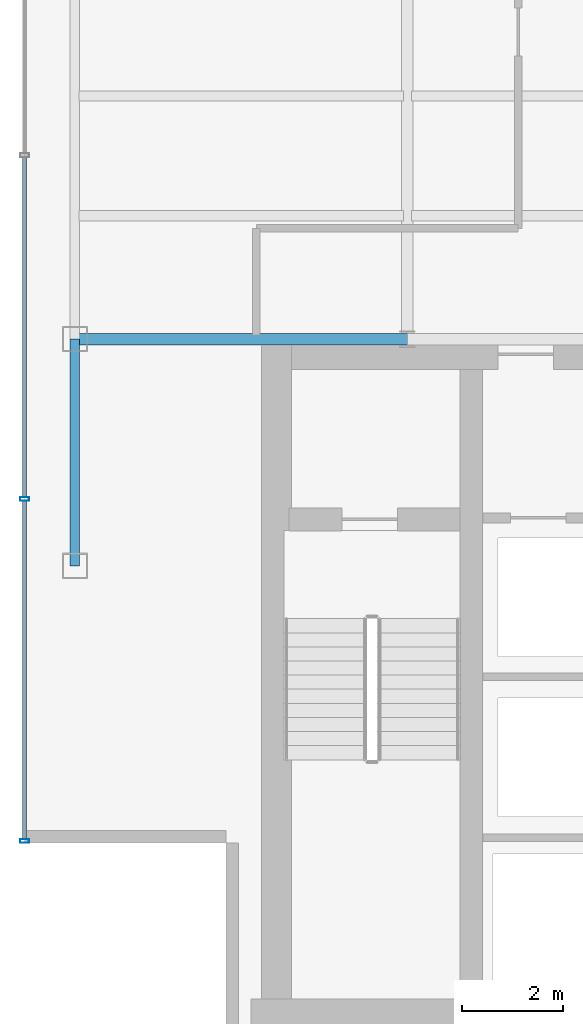
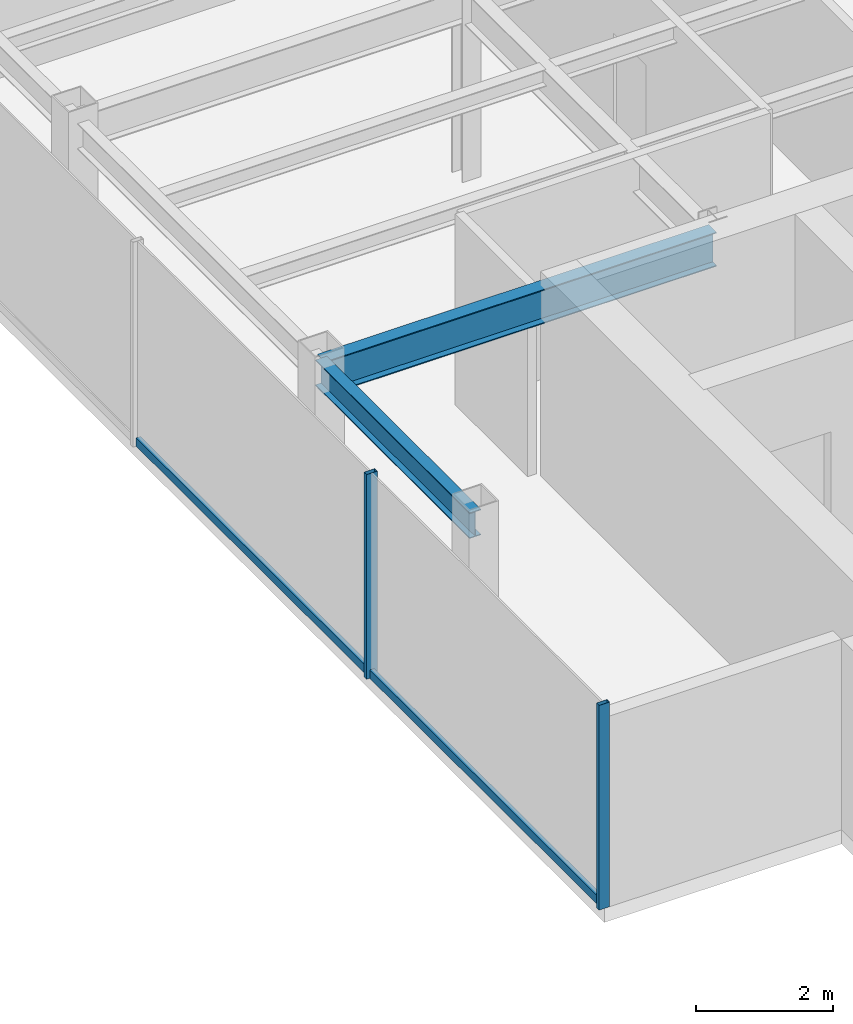
# One storey, part 3 of 22: 4 members, 2 beams, 1 element without a shape of its own.
"""IFC4 building model written with IfcOpenShell, lengths in metres."""

from ifc_helpers import new_model, si_unit, derived_unit, direction, frame, origin, origin_2d, place, context, subcontext, project, spatial, hollow_rectangle, i_section, extrude, source, transform, mapped, material, material_profile, profile_set, type_object, element, aggregate, save


model = new_model("IFC4")

# Units and contexts
model_context = context("Model", 3, precision=1e-05, world=origin(), true_north=direction((0.0, 1.0)))
body_context = subcontext(model_context, "Body", "Model", "MODEL_VIEW")
ifc_project = project(units=[si_unit("LENGTHUNIT", "METRE"), si_unit("AREAUNIT", "SQUARE_METRE"), si_unit("VOLUMEUNIT", "CUBIC_METRE"), si_unit("PLANEANGLEUNIT", "RADIAN"), si_unit("MASSUNIT", "GRAM", prefix="KILO"), derived_unit("THERMALTRANSMITTANCEUNIT", [(si_unit("POWERUNIT", "WATT"), 1), (si_unit("LENGTHUNIT", "METRE"), -2), (si_unit("THERMODYNAMICTEMPERATUREUNIT", "KELVIN"), -1)])], contexts=[model_context])

# Site, building, storey
site_placement = place(None, origin())
site = spatial("IfcSite", under=ifc_project, at=site_placement, CompositionType="ELEMENT")
building_placement = place(site_placement, origin())
building = spatial("IfcBuilding", under=site, at=building_placement, Name="Skarnbrae Concourse Arena and Tower", CompositionType="ELEMENT")
storey_placement = place(building_placement, frame((0.0, 0.0, 244.199951171875)))
storey = spatial("IfcBuildingStorey", under=building, at=storey_placement, Name="L63", CompositionType="ELEMENT", Elevation=244.199951171875)

# Beams
ifc_material_1 = material(Name="Steel CSA G40.21 350W", Category="steel")
ifc_material_profile_1 = material_profile(ifc_material_1, i_section(OverallWidth=0.22802734375, OverallDepth=0.60791015625, WebThickness=0.01123046875, FlangeThickness=0.017333984375, at=origin_2d()), Name="W610X113")
ifc_profile_set_1 = profile_set([ifc_material_profile_1], Name="Steel CSA G40.21 350W")
beam_type_1 = type_object("IfcBeamType", Name="BM-GIRD-W610X113", PredefinedType="BEAM", material=ifc_profile_set_1)
shared_shape_1 = source(origin(), body_context, "Body", "SweptSolid", [
    extrude(i_section(OverallWidth=0.22802734375, OverallDepth=0.60791015625, WebThickness=0.01123046875, FlangeThickness=0.017333984375, at=origin_2d()), origin(), (0.0, 0.0, 1.0), 6.60009765625),
])
beam_1_placement = place(storey_placement, frame((1.0, 14.0, 3.095947265625), z_axis=(1.0, 0.0, 0.0), x_axis=(0.0, 1.0, 0.0)))
element("IfcBeam", 1, at=beam_1_placement, inside=storey, type_object=beam_type_1, Name="L63 Primary E-W girder Y14.0-1", PredefinedType="BEAM", context=body_context, shape_type="MappedRepresentation", body=[
    mapped(shared_shape_1, transform((0.0, 0.0, 0.0))),
])
ifc_material_profile_2 = material_profile(ifc_material_1, i_section(OverallWidth=0.19091796875, OverallDepth=0.4599609375, WebThickness=0.010009765625, FlangeThickness=0.01611328125, at=origin_2d()), Name="W460X82")
ifc_profile_set_2 = profile_set([ifc_material_profile_2], Name="Steel CSA G40.21 350W")
beam_type_2 = type_object("IfcBeamType", Name="BM-SPAN-W460X82", PredefinedType="SPANDREL", material=ifc_profile_set_2)
shared_shape_2 = source(origin(), body_context, "Body", "SweptSolid", [
    extrude(i_section(OverallWidth=0.19091796875, OverallDepth=0.4599609375, WebThickness=0.010009765625, FlangeThickness=0.01611328125, at=origin_2d()), origin(), (0.0, 0.0, 1.0), 4.5),
])
beam_2_placement = place(storey_placement, frame((1.0, 9.5, 3.170166015625), z_axis=(0.0, 1.0, 0.0), x_axis=(-1.0, 0.0, 0.0)))
element("IfcBeam", 2, at=beam_2_placement, inside=storey, type_object=beam_type_2, Name="L63 Perimeter spandrel X1.0-1", PredefinedType="SPANDREL", context=body_context, shape_type="MappedRepresentation", body=[
    mapped(shared_shape_2, transform((0.0, 0.0, 0.0))),
])

# Curtain wall, members
ifc_material_2 = material(Name="Bronze anodised aluminium 6063-T6", Category="aluminium")
curtain_wall_type = type_object("IfcCurtainWallType", Name="CW-SYS-05-HIGHZONE", PredefinedType="USERDEFINED", material=ifc_material_2)
curtain_wall_placement = place(storey_placement, origin())
curtain_wall = element("IfcCurtainWall", 3, at=curtain_wall_placement, inside=storey, type_object=curtain_wall_type, Name="L63 Unitised curtain wall CW-L63-E18", ObjectType="UNITISED CURTAIN WALL", PredefinedType="USERDEFINED")
ifc_material_profile_3 = material_profile(ifc_material_2, hollow_rectangle(XDim=0.074951171875, YDim=0.14990234375, WallThickness=0.00390625, at=origin_2d()), Name="ALU-TRAN-75X150")
ifc_profile_set_3 = profile_set([ifc_material_profile_3], Name="Bronze anodised aluminium 6063-T6")
member_type_1 = type_object("IfcMemberType", Name="CWT-CW-05", PredefinedType="USERDEFINED", material=ifc_profile_set_3)
shared_shape_3 = source(origin(), body_context, "Body", "SweptSolid", [
    extrude(hollow_rectangle(XDim=0.074951171875, YDim=0.14990234375, WallThickness=0.00390625, at=origin_2d()), origin(), (0.0, 0.0, 1.0), 6.712646484375),
])
member_1_placement = place(storey_placement, frame((0.0, 10.78759765625, 0.074951171875), z_axis=(0.0, -1.0, 0.0), x_axis=(1.0, 0.0, 0.0)))
member_1 = element("IfcMember", 4, at=member_1_placement, type_object=member_type_1, Name="CW-L63-E18 Transom 4", ObjectType="TRANSOM", PredefinedType="USERDEFINED", context=body_context, shape_type="MappedRepresentation", body=[
    mapped(shared_shape_3, transform((0.0, 0.0, 0.0))),
])
shared_shape_4 = source(origin(), body_context, "Body", "SweptSolid", [
    extrude(hollow_rectangle(XDim=0.074951171875, YDim=0.14990234375, WallThickness=0.00390625, at=origin_2d()), origin(), (0.0, 0.0, 1.0), 6.75),
])
member_2_placement = place(storey_placement, frame((0.0, 17.612548828125, 0.074951171875), z_axis=(0.0, -1.0, 0.0), x_axis=(1.0, 0.0, 0.0)))
member_2 = element("IfcMember", 5, at=member_2_placement, type_object=member_type_1, Name="CW-L63-E18 Transom 3", ObjectType="TRANSOM", PredefinedType="USERDEFINED", context=body_context, shape_type="MappedRepresentation", body=[
    mapped(shared_shape_4, transform((0.0, 0.0, 0.0))),
])
ifc_material_profile_4 = material_profile(ifc_material_2, hollow_rectangle(XDim=0.074951171875, YDim=0.179931640625, WallThickness=0.00390625, at=origin_2d()), Name="ALU-MULL-75X180")
ifc_profile_set_4 = profile_set([ifc_material_profile_4], Name="Bronze anodised aluminium 6063-T6")
member_type_2 = type_object("IfcMemberType", Name="CWM-CW-05", PredefinedType="MULLION", material=ifc_profile_set_4)
shared_shape_5 = source(origin(), body_context, "Body", "SweptSolid", [
    extrude(hollow_rectangle(XDim=0.074951171875, YDim=0.179931640625, WallThickness=0.00390625, at=origin_2d()), origin(), (0.0, 0.0, 1.0), 3.650146484375),
])
member_3_placement = place(storey_placement, frame((0.0, 10.824951171875, 0.0), z_axis=(0.0, 0.0, 1.0), x_axis=(0.0, -1.0, 0.0)))
member_3 = element("IfcMember", 6, at=member_3_placement, type_object=member_type_2, Name="CW-L63-E18 Mullion 4", PredefinedType="MULLION", context=body_context, shape_type="MappedRepresentation", body=[
    mapped(shared_shape_5, transform((0.0, 0.0, 0.0))),
])
member_4_placement = place(storey_placement, frame((0.0, 4.03759765625, 0.0), z_axis=(0.0, 0.0, 1.0), x_axis=(0.0, -1.0, 0.0)))
member_4 = element("IfcMember", 7, at=member_4_placement, type_object=member_type_2, Name="CW-L63-E18 Mullion 5", PredefinedType="MULLION", context=body_context, shape_type="MappedRepresentation", body=[
    mapped(shared_shape_5, transform((0.0, 0.0, 0.0))),
])
aggregate(curtain_wall, [member_3, member_4, member_2, member_1])

save(model, "model.ifc")
